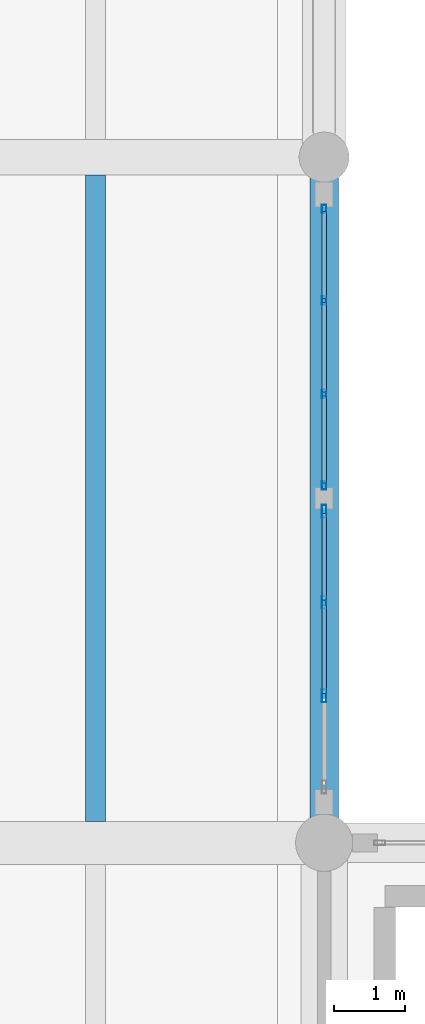
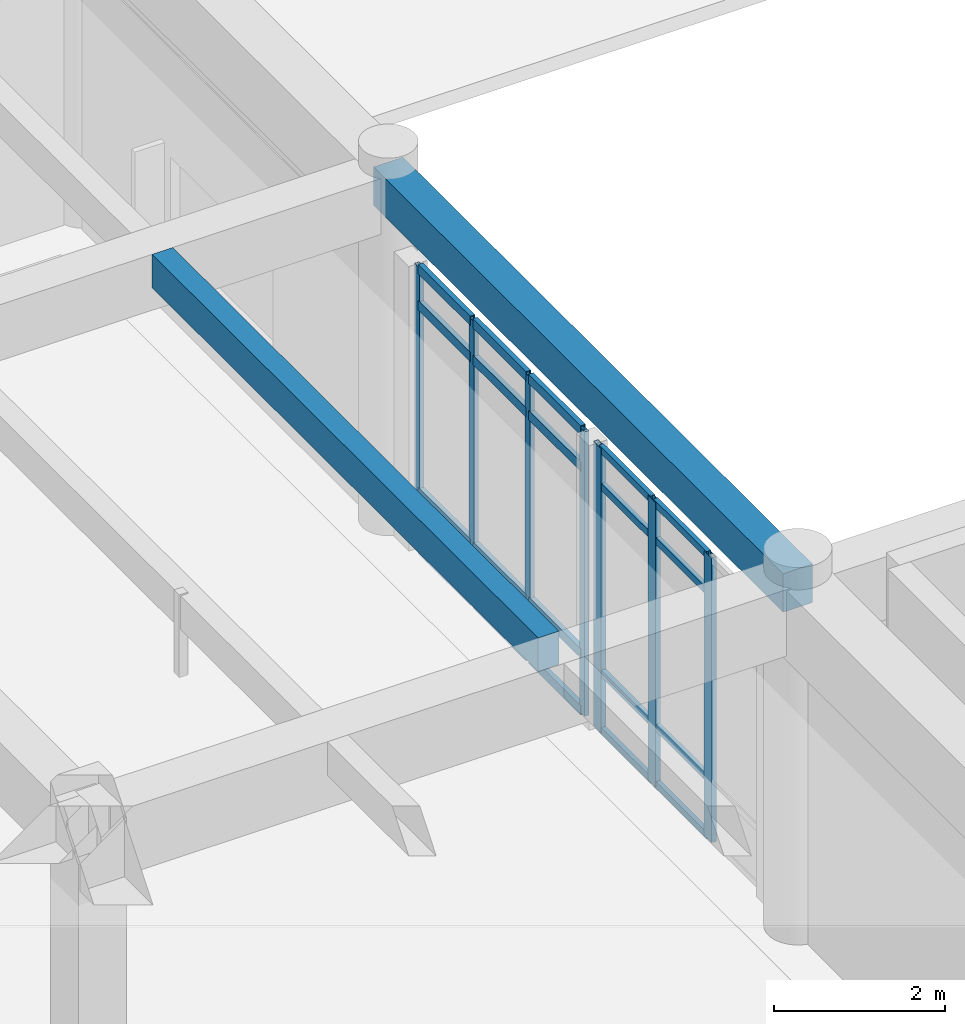
# One storey, part 11 of 138: 27 members, 2 beams, 2 elements without a shape of their own.
"""IFC4 building model written with IfcOpenShell, lengths in metres."""

import ifcopenshell
import ifcopenshell.guid

model = None  # the IFC model being written
_history = None  # IfcOwnerHistory: only IFC2X3 demands one
_inside = {}  # id of a spatial element -> (the spatial element, [elements in it])
_under = {}  # id of a project, library or spatial element -> (it, [spatial elements below it])
_declared = {}  # id of a project -> (the project, [libraries it declares])
_typed = {}  # id of a type object -> (the type object, [elements of that type])
_made_of = {}  # id of a material, layer set ... -> (it, [elements and type objects made of it])


def new_model(schema):
    """Start an empty IFC model of exactly this schema.

    Asked for "IFC4X3", IfcOpenShell would pick the latest addendum, in which some entities
    have other attributes; the version numbers below select the first issue.
    IFC2X3 requires an IfcOwnerHistory on every rooted entity: one is made here for all.
    """
    global model, _history
    if schema == "IFC4X3":
        model = ifcopenshell.file(schema_version=(4, 3, 0, 0))
    else:
        model = ifcopenshell.file(schema=schema)
    _inside.clear()
    _under.clear()
    _declared.clear()
    _typed.clear()
    _made_of.clear()
    _history = None
    if model.schema == "IFC2X3":
        org = make("IfcOrganization", Name="unknown")
        user = make(
            "IfcPersonAndOrganization",
            ThePerson=make("IfcPerson", FamilyName="unknown"),
            TheOrganization=org,
        )
        app = make(
            "IfcApplication",
            ApplicationDeveloper=org,
            Version="unknown",
            ApplicationFullName="unknown",
            ApplicationIdentifier="unknown",
        )
        _history = make(
            "IfcOwnerHistory",
            OwningUser=user,
            OwningApplication=app,
            ChangeAction="ADDED",
            CreationDate=0,
        )
    return model


def make(cls, **values):
    """One entity of the class cls with the attributes given. An attribute that is None is left unset."""
    return model.create_entity(
        cls, **{name: value for name, value in values.items() if value is not None}
    )


def rooted(cls, **values):
    """An entity with a GlobalId (a new one), such as an element, a storey or a relation."""
    return make(cls, GlobalId=ifcopenshell.guid.new(), OwnerHistory=_history, **values)


def si_unit(unit_type, name, prefix=None):
    """IfcSIUnit, for example si_unit("LENGTHUNIT", "METRE", prefix="MILLI")."""
    return make("IfcSIUnit", UnitType=unit_type, Prefix=prefix, Name=name)


def assignment(units):
    """IfcUnitAssignment: the units of a project."""
    return None if units is None else make("IfcUnitAssignment", Units=units)


def point(xyz):
    """IfcCartesianPoint."""
    return None if xyz is None else make("IfcCartesianPoint", Coordinates=xyz)


def direction(xyz):
    """IfcDirection."""
    return None if xyz is None else make("IfcDirection", DirectionRatios=xyz)


def frame(location, z_axis=None, x_axis=None):
    """IfcAxis2Placement3D, a coordinate frame: its origin and axes. An axis left out is left unset."""
    return make(
        "IfcAxis2Placement3D",
        Location=point(location),
        Axis=direction(z_axis),
        RefDirection=direction(x_axis),
    )


def frame_2d(location, x_axis=None):
    """IfcAxis2Placement2D, a coordinate frame in the plane: its origin and x axis."""
    return make(
        "IfcAxis2Placement2D", Location=point(location), RefDirection=direction(x_axis)
    )


def origin():
    """The frame at (0, 0, 0) with its axes left unset."""
    return frame((0.0, 0.0, 0.0))


def origin_2d():
    """The frame at (0, 0) in the plane with its x axis left unset."""
    return frame_2d((0.0, 0.0))


def place(relative_to, where):
    """IfcLocalPlacement: puts the frame where relative to a parent placement (None: the world)."""
    return make(
        "IfcLocalPlacement", PlacementRelTo=relative_to, RelativePlacement=where
    )


def context(
    kind, dimensions, precision=None, world=None, true_north=None, identifier=None
):
    """IfcGeometricRepresentationContext, for example the 3D "Model" context."""
    return make(
        "IfcGeometricRepresentationContext",
        ContextIdentifier=identifier,
        ContextType=kind,
        CoordinateSpaceDimension=dimensions,
        Precision=precision,
        WorldCoordinateSystem=world,
        TrueNorth=true_north,
    )


def subcontext(parent, identifier, kind, view, scale=None):
    """IfcGeometricRepresentationSubContext, for example "Body" below "Model"."""
    return make(
        "IfcGeometricRepresentationSubContext",
        ContextIdentifier=identifier,
        ContextType=kind,
        ParentContext=parent,
        TargetScale=scale,
        TargetView=view,
    )


def project(units=None, contexts=None):
    """IfcProject with its units and contexts."""
    return rooted(
        "IfcProject",
        Name="project",
        RepresentationContexts=contexts,
        UnitsInContext=assignment(units),
    )


def spatial(cls, under=None, at=None, **own):
    """A site, building, storey or space (cls), placed at a placement, below another one or the project."""
    s = rooted(cls, ObjectPlacement=at, **own)
    if under is not None:
        _under.setdefault(under.id(), (under, []))[1].append(s)
    return s


def profile(cls, at=None, kind="AREA", **sizes):
    """A parametric profile (cls). Its sizes go by their IFC names, for example OverallWidth=200.0."""
    return make(cls, ProfileType=kind, Position=at, **sizes)


def rectangle(**sizes):
    """IfcRectangleProfileDef."""
    return profile("IfcRectangleProfileDef", **sizes)


def hollow_rectangle(**sizes):
    """IfcRectangleHollowProfileDef."""
    return profile("IfcRectangleHollowProfileDef", **sizes)


def extrude(swept, where, along, depth):
    """IfcExtrudedAreaSolid: the profile swept, set in the frame where, extruded along a direction by depth."""
    return make(
        "IfcExtrudedAreaSolid",
        SweptArea=swept,
        Position=where,
        ExtrudedDirection=direction(along),
        Depth=depth,
    )


def shape(context_of_items, identifier, shape_type, items):
    """IfcShapeRepresentation: the items that make up one representation, for example the "Body"."""
    return make(
        "IfcShapeRepresentation",
        ContextOfItems=context_of_items,
        RepresentationIdentifier=identifier,
        RepresentationType=shape_type,
        Items=items,
    )


def material(Name=None, Category=None):
    """IfcMaterial."""
    return make("IfcMaterial", Name=Name, Category=Category)


def layer(
    of_material, thickness, ventilated=None, Name=None, Category=None, Priority=None
):
    """IfcMaterialLayer: one layer of a wall or slab, of a material (None: an air gap)."""
    return make(
        "IfcMaterialLayer",
        Material=of_material,
        LayerThickness=thickness,
        IsVentilated=ventilated,
        Name=Name,
        Category=Category,
        Priority=Priority,
    )


def layer_set(layers, Name=None):
    """IfcMaterialLayerSet."""
    return make("IfcMaterialLayerSet", MaterialLayers=layers, LayerSetName=Name)


def material_profile(
    of_material, cross_section, Name=None, Category=None, Priority=None
):
    """IfcMaterialProfile: a cross section and its material."""
    return make(
        "IfcMaterialProfile",
        Name=Name,
        Material=of_material,
        Profile=cross_section,
        Priority=Priority,
        Category=Category,
    )


def profile_set(profiles, Name=None, composite=None):
    """IfcMaterialProfileSet."""
    return make(
        "IfcMaterialProfileSet",
        Name=Name,
        MaterialProfiles=profiles,
        CompositeProfile=composite,
    )


def made_of(thing, what):
    """Note that an element or type object is made of a material, layer set ...; save() writes the relation."""
    if what is not None:
        _made_of.setdefault(what.id(), (what, []))[1].append(thing)
    return thing


def type_object(cls, material=None, **own):
    """A type object (cls), such as IfcWallType, which elements share."""
    return made_of(rooted(cls, **own), material)


def element(
    cls,
    number,
    at=None,
    inside=None,
    cuts=None,
    type_object=None,
    material=None,
    context=None,
    identifier="Body",
    shape_type=None,
    held_by="IfcProductDefinitionShape",
    body=None,
    shapes=None,
    **own,
):
    """One element of the class cls, such as IfcWall. Its Tag is "e" and its number.

    at: its placement. inside: the storey or other place that contains it. cuts: it is an
    opening in that element (IfcRelVoidsElement). A single representation is given by context,
    identifier, shape_type and body (its items); several are given by shapes. held_by: the class
    of the entity that holds the representations. save() writes the other relations.
    """
    e = rooted(cls, Tag="e%d" % number, ObjectPlacement=at, **own)
    if body is not None:
        shapes = [shape(context, identifier, shape_type, body)]
    if shapes is not None:
        e.Representation = make(held_by, Representations=shapes)
    if inside is not None:
        _inside.setdefault(inside.id(), (inside, []))[1].append(e)
    if cuts is not None:
        rooted(
            "IfcRelVoidsElement", RelatingBuildingElement=cuts, RelatedOpeningElement=e
        )
    if type_object is not None:
        _typed.setdefault(type_object.id(), (type_object, []))[1].append(e)
    return made_of(e, material)


def aggregate(whole, parts):
    """IfcRelAggregates: a whole, such as a stair, and the parts it consists of."""
    return rooted("IfcRelAggregates", RelatingObject=whole, RelatedObjects=parts)


def save(model, path):
    """Write the relations noted so far, then the file.

    IfcRelAggregates (storeys below a building ...), IfcRelContainedInSpatialStructure (elements
    in a storey), IfcRelDefinesByType, IfcRelAssociatesMaterial and IfcRelDeclares: one each for
    every whole, place, type object, material and project.
    """
    for whole, parts in _under.values():
        aggregate(whole, parts)
    for where, things in _inside.values():
        rooted(
            "IfcRelContainedInSpatialStructure",
            RelatedElements=things,
            RelatingStructure=where,
        )
    for kind, things in _typed.values():
        rooted("IfcRelDefinesByType", RelatedObjects=things, RelatingType=kind)
    for what, things in _made_of.values():
        rooted("IfcRelAssociatesMaterial", RelatedObjects=things, RelatingMaterial=what)
    for by, libraries in _declared.values():
        rooted("IfcRelDeclares", RelatingContext=by, RelatedDefinitions=libraries)
    model.write(path)


model = new_model("IFC4")

# Units and contexts
model_context = context("Model", 3, precision=1e-05, world=origin(), true_north=direction((0.0, 1.0)))
body_context = subcontext(model_context, "Body", "Model", "MODEL_VIEW")
ifc_project = project(units=[si_unit("LENGTHUNIT", "METRE"), si_unit("AREAUNIT", "SQUARE_METRE"), si_unit("VOLUMEUNIT", "CUBIC_METRE"), si_unit("PLANEANGLEUNIT", "RADIAN"), si_unit("MASSUNIT", "GRAM", prefix="KILO")], contexts=[model_context])

# Site, building, storey
site_placement = place(None, origin())
site = spatial("IfcSite", under=ifc_project, at=site_placement, CompositionType="ELEMENT")
building_placement = place(site_placement, origin())
building = spatial("IfcBuilding", under=site, at=building_placement, Name="Fikremerkos Civic Library", CompositionType="ELEMENT")
storey_placement = place(building_placement, origin())
storey = spatial("IfcBuildingStorey", under=building, at=storey_placement, Name="L00", CompositionType="ELEMENT", Elevation=0.0)

# Curtain wall, members
ifc_material_1 = material(Name="Anodized aluminium Frame", Category="aluminium")
ifc_layer_1 = layer(ifc_material_1, 0.159912109375, Name="Anodized aluminium Frame")
ifc_layer_set_1 = layer_set([ifc_layer_1], Name="Anodized aluminium Frame")
curtain_wall_type_1 = type_object("IfcCurtainWallType", Name="Unitised curtain wall CW-05 3800x4100", PredefinedType="USERDEFINED", material=ifc_layer_set_1)
curtain_wall_1_placement = place(storey_placement, origin())
curtain_wall_1 = element("IfcCurtainWall", 1, at=curtain_wall_1_placement, inside=storey, type_object=curtain_wall_type_1, Name="Unitised curtain wall CW-05 L00 #5", ObjectType="UNITISED CURTAIN WALL", PredefinedType="USERDEFINED")
ifc_material_profile_1 = material_profile(ifc_material_1, hollow_rectangle(XDim=0.06494140625, YDim=0.179931640625, WallThickness=0.00439453125, at=origin_2d()), Name="ALU 180x65x4.5")
ifc_profile_set_1 = profile_set([ifc_material_profile_1], Name="Anodized aluminium Frame")
member_type_1 = type_object("IfcMemberType", Name="Curtain mullion CWM-01 ALU 180x65x4.5", PredefinedType="MULLION", material=ifc_profile_set_1)
member_1_placement = place(storey_placement, frame((19.199951171875, 35.842529296875, 0.0), z_axis=(0.0, 0.0, 1.0), x_axis=(1.0, 0.0, 0.0)))
member_1 = element("IfcMember", 2, at=member_1_placement, type_object=member_type_1, Name="CW-05 mullion 1", PredefinedType="MULLION", context=body_context, shape_type="SweptSolid", body=[
    extrude(hollow_rectangle(XDim=0.06494140625, YDim=0.179931640625, WallThickness=0.00439453125, at=origin_2d()), origin(), (0.0, 0.0, 1.0), 4.070068359375),
])
member_2_placement = place(storey_placement, frame((19.199951171875, 34.56591796875, 0.0), z_axis=(0.0, 0.0, 1.0), x_axis=(1.0, 0.0, 0.0)))
member_2 = element("IfcMember", 3, at=member_2_placement, type_object=member_type_1, Name="CW-05 mullion 2", PredefinedType="MULLION", context=body_context, shape_type="SweptSolid", body=[
    extrude(hollow_rectangle(XDim=0.06494140625, YDim=0.179931640625, WallThickness=0.00439453125, at=origin_2d()), origin(), (0.0, 0.0, 1.0), 4.070068359375),
])
member_3_placement = place(storey_placement, frame((19.199951171875, 33.257080078125, 0.0), z_axis=(0.0, 0.0, 1.0), x_axis=(1.0, 0.0, 0.0)))
member_3 = element("IfcMember", 4, at=member_3_placement, type_object=member_type_1, Name="CW-05 mullion 3", PredefinedType="MULLION", context=body_context, shape_type="SweptSolid", body=[
    extrude(hollow_rectangle(XDim=0.06494140625, YDim=0.179931640625, WallThickness=0.00439453125, at=origin_2d()), origin(), (0.0, 0.0, 1.0), 4.070068359375),
])

ifc_layer_2 = layer(ifc_material_1, 0.159912109375, Name="Anodized aluminium Frame")
ifc_layer_set_2 = layer_set([ifc_layer_2], Name="Anodized aluminium Frame")
curtain_wall_type_2 = type_object("IfcCurtainWallType", Name="Unitised curtain wall CW-04 3400x3600", PredefinedType="USERDEFINED", material=ifc_layer_set_2)
curtain_wall_2_placement = place(storey_placement, origin())
curtain_wall_2 = element("IfcCurtainWall", 5, at=curtain_wall_2_placement, inside=storey, type_object=curtain_wall_type_2, Name="Unitised curtain wall CW-04 L00 #4", ObjectType="UNITISED CURTAIN WALL", PredefinedType="USERDEFINED")
ifc_material_profile_2 = material_profile(ifc_material_1, hollow_rectangle(XDim=0.06005859375, YDim=0.1201171875, WallThickness=0.00390625, at=origin_2d()), Name="ALU 120x60x4")
ifc_profile_set_2 = profile_set([ifc_material_profile_2], Name="Anodized aluminium Frame")
member_type_2 = type_object("IfcMemberType", Name="Curtain mullion CWM-04 ALU 120x60x4", PredefinedType="MULLION", material=ifc_profile_set_2)
member_4_placement = place(storey_placement, frame((19.199951171875, 40.072021484375, 0.0), z_axis=(0.0, 0.0, 1.0), x_axis=(1.0, 0.0, 0.0)))
member_4 = element("IfcMember", 6, at=member_4_placement, type_object=member_type_2, Name="CW-04 mullion 1", PredefinedType="MULLION", context=body_context, shape_type="SweptSolid", body=[
    extrude(hollow_rectangle(XDim=0.06005859375, YDim=0.1201171875, WallThickness=0.00390625, at=origin_2d()), origin(), (0.0, 0.0, 1.0), 4.070068359375),
])
member_5_placement = place(storey_placement, frame((19.199951171875, 38.79296875, 0.0), z_axis=(0.0, 0.0, 1.0), x_axis=(1.0, 0.0, 0.0)))
member_5 = element("IfcMember", 7, at=member_5_placement, type_object=member_type_2, Name="CW-04 mullion 2", PredefinedType="MULLION", context=body_context, shape_type="SweptSolid", body=[
    extrude(hollow_rectangle(XDim=0.06005859375, YDim=0.1201171875, WallThickness=0.00390625, at=origin_2d()), origin(), (0.0, 0.0, 1.0), 4.070068359375),
])
member_6_placement = place(storey_placement, frame((19.199951171875, 37.48388671875, 0.0), z_axis=(0.0, 0.0, 1.0), x_axis=(1.0, 0.0, 0.0)))
member_6 = element("IfcMember", 8, at=member_6_placement, type_object=member_type_2, Name="CW-04 mullion 3", PredefinedType="MULLION", context=body_context, shape_type="SweptSolid", body=[
    extrude(hollow_rectangle(XDim=0.06005859375, YDim=0.1201171875, WallThickness=0.00390625, at=origin_2d()), origin(), (0.0, 0.0, 1.0), 4.070068359375),
])
member_7_placement = place(storey_placement, frame((19.199951171875, 36.205078125, 0.0), z_axis=(0.0, 0.0, 1.0), x_axis=(1.0, 0.0, 0.0)))
member_7 = element("IfcMember", 9, at=member_7_placement, type_object=member_type_2, Name="CW-04 mullion 4", PredefinedType="MULLION", context=body_context, shape_type="SweptSolid", body=[
    extrude(hollow_rectangle(XDim=0.06005859375, YDim=0.1201171875, WallThickness=0.00390625, at=origin_2d()), origin(), (0.0, 0.0, 1.0), 4.070068359375),
])
ifc_material_profile_3 = material_profile(ifc_material_1, hollow_rectangle(XDim=0.06494140625, YDim=0.135009765625, WallThickness=0.00439453125, at=origin_2d()), Name="ALU 135x65x4.5")
ifc_profile_set_3 = profile_set([ifc_material_profile_3], Name="Anodized aluminium Frame")
member_type_3 = type_object("IfcMemberType", Name="Curtain transom CWT-02 ALU 135x65x4.5", PredefinedType="USERDEFINED", material=ifc_profile_set_3)
member_8_placement = place(storey_placement, frame((19.199951171875, 40.0419921875, 0.032470703125), z_axis=(0.0, -1.0, 0.0), x_axis=(1.0, 0.0, 0.0)))
member_8 = element("IfcMember", 10, at=member_8_placement, type_object=member_type_3, Name="CW-04 transom 1.1", ObjectType="TRANSOM", PredefinedType="USERDEFINED", context=body_context, shape_type="SweptSolid", body=[
    extrude(hollow_rectangle(XDim=0.06494140625, YDim=0.135009765625, WallThickness=0.00439453125, at=origin_2d()), origin(), (0.0, 0.0, 1.0), 1.218994140625),
])
member_9_placement = place(storey_placement, frame((19.199951171875, 40.0419921875, 0.85009765625), z_axis=(0.0, -1.0, 0.0), x_axis=(1.0, 0.0, 0.0)))
member_9 = element("IfcMember", 11, at=member_9_placement, type_object=member_type_3, Name="CW-04 transom 1.2", ObjectType="TRANSOM", PredefinedType="USERDEFINED", context=body_context, shape_type="SweptSolid", body=[
    extrude(hollow_rectangle(XDim=0.06494140625, YDim=0.135009765625, WallThickness=0.00439453125, at=origin_2d()), origin(), (0.0, 0.0, 1.0), 1.218994140625),
])
member_10_placement = place(storey_placement, frame((19.199951171875, 40.0419921875, 3.52001953125), z_axis=(0.0, -1.0, 0.0), x_axis=(1.0, 0.0, 0.0)))
member_10 = element("IfcMember", 12, at=member_10_placement, type_object=member_type_3, Name="CW-04 transom 1.3", ObjectType="TRANSOM", PredefinedType="USERDEFINED", context=body_context, shape_type="SweptSolid", body=[
    extrude(hollow_rectangle(XDim=0.06494140625, YDim=0.135009765625, WallThickness=0.00439453125, at=origin_2d()), origin(), (0.0, 0.0, 1.0), 1.218994140625),
])
member_11_placement = place(storey_placement, frame((19.199951171875, 40.0419921875, 4.03759765625), z_axis=(0.0, -1.0, 0.0), x_axis=(1.0, 0.0, 0.0)))
member_11 = element("IfcMember", 13, at=member_11_placement, type_object=member_type_3, Name="CW-04 transom 1.4", ObjectType="TRANSOM", PredefinedType="USERDEFINED", context=body_context, shape_type="SweptSolid", body=[
    extrude(hollow_rectangle(XDim=0.06494140625, YDim=0.135009765625, WallThickness=0.00439453125, at=origin_2d()), origin(), (0.0, 0.0, 1.0), 1.218994140625),
])
member_12_placement = place(storey_placement, frame((19.199951171875, 38.762939453125, 0.032470703125), z_axis=(0.0, -1.0, 0.0), x_axis=(1.0, 0.0, 0.0)))
member_12 = element("IfcMember", 14, at=member_12_placement, type_object=member_type_3, Name="CW-04 transom 2.1", ObjectType="TRANSOM", PredefinedType="USERDEFINED", context=body_context, shape_type="SweptSolid", body=[
    extrude(hollow_rectangle(XDim=0.06494140625, YDim=0.135009765625, WallThickness=0.00439453125, at=origin_2d()), origin(), (0.0, 0.0, 1.0), 1.2490234375),
])
member_13_placement = place(storey_placement, frame((19.199951171875, 38.762939453125, 0.85009765625), z_axis=(0.0, -1.0, 0.0), x_axis=(1.0, 0.0, 0.0)))
member_13 = element("IfcMember", 15, at=member_13_placement, type_object=member_type_3, Name="CW-04 transom 2.2", ObjectType="TRANSOM", PredefinedType="USERDEFINED", context=body_context, shape_type="SweptSolid", body=[
    extrude(hollow_rectangle(XDim=0.06494140625, YDim=0.135009765625, WallThickness=0.00439453125, at=origin_2d()), origin(), (0.0, 0.0, 1.0), 1.2490234375),
])
member_14_placement = place(storey_placement, frame((19.199951171875, 38.762939453125, 3.52001953125), z_axis=(0.0, -1.0, 0.0), x_axis=(1.0, 0.0, 0.0)))
member_14 = element("IfcMember", 16, at=member_14_placement, type_object=member_type_3, Name="CW-04 transom 2.3", ObjectType="TRANSOM", PredefinedType="USERDEFINED", context=body_context, shape_type="SweptSolid", body=[
    extrude(hollow_rectangle(XDim=0.06494140625, YDim=0.135009765625, WallThickness=0.00439453125, at=origin_2d()), origin(), (0.0, 0.0, 1.0), 1.2490234375),
])
member_15_placement = place(storey_placement, frame((19.199951171875, 38.762939453125, 4.03759765625), z_axis=(0.0, -1.0, 0.0), x_axis=(1.0, 0.0, 0.0)))
member_15 = element("IfcMember", 17, at=member_15_placement, type_object=member_type_3, Name="CW-04 transom 2.4", ObjectType="TRANSOM", PredefinedType="USERDEFINED", context=body_context, shape_type="SweptSolid", body=[
    extrude(hollow_rectangle(XDim=0.06494140625, YDim=0.135009765625, WallThickness=0.00439453125, at=origin_2d()), origin(), (0.0, 0.0, 1.0), 1.2490234375),
])
member_16_placement = place(storey_placement, frame((19.199951171875, 37.4541015625, 0.032470703125), z_axis=(0.0, -1.0, 0.0), x_axis=(1.0, 0.0, 0.0)))
member_16 = element("IfcMember", 18, at=member_16_placement, type_object=member_type_3, Name="CW-04 transom 3.1", ObjectType="TRANSOM", PredefinedType="USERDEFINED", context=body_context, shape_type="SweptSolid", body=[
    extrude(hollow_rectangle(XDim=0.06494140625, YDim=0.135009765625, WallThickness=0.00439453125, at=origin_2d()), origin(), (0.0, 0.0, 1.0), 1.218994140625),
])
member_17_placement = place(storey_placement, frame((19.199951171875, 37.4541015625, 0.85009765625), z_axis=(0.0, -1.0, 0.0), x_axis=(1.0, 0.0, 0.0)))
member_17 = element("IfcMember", 19, at=member_17_placement, type_object=member_type_3, Name="CW-04 transom 3.2", ObjectType="TRANSOM", PredefinedType="USERDEFINED", context=body_context, shape_type="SweptSolid", body=[
    extrude(hollow_rectangle(XDim=0.06494140625, YDim=0.135009765625, WallThickness=0.00439453125, at=origin_2d()), origin(), (0.0, 0.0, 1.0), 1.218994140625),
])
member_18_placement = place(storey_placement, frame((19.199951171875, 37.4541015625, 3.52001953125), z_axis=(0.0, -1.0, 0.0), x_axis=(1.0, 0.0, 0.0)))
member_18 = element("IfcMember", 20, at=member_18_placement, type_object=member_type_3, Name="CW-04 transom 3.3", ObjectType="TRANSOM", PredefinedType="USERDEFINED", context=body_context, shape_type="SweptSolid", body=[
    extrude(hollow_rectangle(XDim=0.06494140625, YDim=0.135009765625, WallThickness=0.00439453125, at=origin_2d()), origin(), (0.0, 0.0, 1.0), 1.218994140625),
])
member_19_placement = place(storey_placement, frame((19.199951171875, 37.4541015625, 4.03759765625), z_axis=(0.0, -1.0, 0.0), x_axis=(1.0, 0.0, 0.0)))
member_19 = element("IfcMember", 21, at=member_19_placement, type_object=member_type_3, Name="CW-04 transom 3.4", ObjectType="TRANSOM", PredefinedType="USERDEFINED", context=body_context, shape_type="SweptSolid", body=[
    extrude(hollow_rectangle(XDim=0.06494140625, YDim=0.135009765625, WallThickness=0.00439453125, at=origin_2d()), origin(), (0.0, 0.0, 1.0), 1.218994140625),
])
aggregate(curtain_wall_2, [member_4, member_5, member_6, member_7, member_8, member_9, member_10, member_11, member_12, member_13, member_14, member_15, member_16, member_17, member_18, member_19])

# Member
ifc_material_profile_4 = material_profile(ifc_material_1, hollow_rectangle(XDim=0.06005859375, YDim=0.10009765625, WallThickness=0.00390625, at=origin_2d()), Name="ALU 100x60x4")
ifc_profile_set_4 = profile_set([ifc_material_profile_4], Name="Anodized aluminium Frame")
member_type_4 = type_object("IfcMemberType", Name="Curtain transom CWT-03 ALU 100x60x4", PredefinedType="USERDEFINED", material=ifc_profile_set_4)
member_20_placement = place(storey_placement, frame((19.199951171875, 35.81005859375, 0.030029296875), z_axis=(0.0, -1.0, 0.0), x_axis=(1.0, 0.0, 0.0)))
member_20 = element("IfcMember", 22, at=member_20_placement, type_object=member_type_4, Name="CW-05 transom 1.1", ObjectType="TRANSOM", PredefinedType="USERDEFINED", context=body_context, shape_type="SweptSolid", body=[
    extrude(hollow_rectangle(XDim=0.06005859375, YDim=0.10009765625, WallThickness=0.00390625, at=origin_2d()), origin(), (0.0, 0.0, 1.0), 1.211669921875),
])

member_21_placement = place(storey_placement, frame((19.199951171875, 35.81005859375, 0.85009765625), z_axis=(0.0, -1.0, 0.0), x_axis=(1.0, 0.0, 0.0)))
member_21 = element("IfcMember", 23, at=member_21_placement, type_object=member_type_4, Name="CW-05 transom 1.2", ObjectType="TRANSOM", PredefinedType="USERDEFINED", context=body_context, shape_type="SweptSolid", body=[
    extrude(hollow_rectangle(XDim=0.06005859375, YDim=0.10009765625, WallThickness=0.00390625, at=origin_2d()), origin(), (0.0, 0.0, 1.0), 1.211669921875),
])

member_22_placement = place(storey_placement, frame((19.199951171875, 35.81005859375, 3.52001953125), z_axis=(0.0, -1.0, 0.0), x_axis=(1.0, 0.0, 0.0)))
member_22 = element("IfcMember", 24, at=member_22_placement, type_object=member_type_4, Name="CW-05 transom 1.3", ObjectType="TRANSOM", PredefinedType="USERDEFINED", context=body_context, shape_type="SweptSolid", body=[
    extrude(hollow_rectangle(XDim=0.06005859375, YDim=0.10009765625, WallThickness=0.00390625, at=origin_2d()), origin(), (0.0, 0.0, 1.0), 1.211669921875),
])

member_23_placement = place(storey_placement, frame((19.199951171875, 35.81005859375, 4.0400390625), z_axis=(0.0, -1.0, 0.0), x_axis=(1.0, 0.0, 0.0)))
member_23 = element("IfcMember", 25, at=member_23_placement, type_object=member_type_4, Name="CW-05 transom 1.4", ObjectType="TRANSOM", PredefinedType="USERDEFINED", context=body_context, shape_type="SweptSolid", body=[
    extrude(hollow_rectangle(XDim=0.06005859375, YDim=0.10009765625, WallThickness=0.00390625, at=origin_2d()), origin(), (0.0, 0.0, 1.0), 1.211669921875),
])

member_24_placement = place(storey_placement, frame((19.199951171875, 34.533447265625, 0.030029296875), z_axis=(0.0, -1.0, 0.0), x_axis=(1.0, 0.0, 0.0)))
member_24 = element("IfcMember", 26, at=member_24_placement, type_object=member_type_4, Name="CW-05 transom 2.1", ObjectType="TRANSOM", PredefinedType="USERDEFINED", context=body_context, shape_type="SweptSolid", body=[
    extrude(hollow_rectangle(XDim=0.06005859375, YDim=0.10009765625, WallThickness=0.00390625, at=origin_2d()), origin(), (0.0, 0.0, 1.0), 1.243896484375),
])

member_25_placement = place(storey_placement, frame((19.199951171875, 34.533447265625, 0.85009765625), z_axis=(0.0, -1.0, 0.0), x_axis=(1.0, 0.0, 0.0)))
member_25 = element("IfcMember", 27, at=member_25_placement, type_object=member_type_4, Name="CW-05 transom 2.2", ObjectType="TRANSOM", PredefinedType="USERDEFINED", context=body_context, shape_type="SweptSolid", body=[
    extrude(hollow_rectangle(XDim=0.06005859375, YDim=0.10009765625, WallThickness=0.00390625, at=origin_2d()), origin(), (0.0, 0.0, 1.0), 1.243896484375),
])

member_26_placement = place(storey_placement, frame((19.199951171875, 34.533447265625, 3.52001953125), z_axis=(0.0, -1.0, 0.0), x_axis=(1.0, 0.0, 0.0)))
member_26 = element("IfcMember", 28, at=member_26_placement, type_object=member_type_4, Name="CW-05 transom 2.3", ObjectType="TRANSOM", PredefinedType="USERDEFINED", context=body_context, shape_type="SweptSolid", body=[
    extrude(hollow_rectangle(XDim=0.06005859375, YDim=0.10009765625, WallThickness=0.00390625, at=origin_2d()), origin(), (0.0, 0.0, 1.0), 1.243896484375),
])

member_27_placement = place(storey_placement, frame((19.199951171875, 34.533447265625, 4.0400390625), z_axis=(0.0, -1.0, 0.0), x_axis=(1.0, 0.0, 0.0)))
member_27 = element("IfcMember", 29, at=member_27_placement, type_object=member_type_4, Name="CW-05 transom 2.4", ObjectType="TRANSOM", PredefinedType="USERDEFINED", context=body_context, shape_type="SweptSolid", body=[
    extrude(hollow_rectangle(XDim=0.06005859375, YDim=0.10009765625, WallThickness=0.00390625, at=origin_2d()), origin(), (0.0, 0.0, 1.0), 1.243896484375),
])

aggregate(curtain_wall_1, [member_1, member_2, member_3, member_20, member_21, member_22, member_23, member_24, member_25, member_26, member_27])

# Beams
ifc_material_2 = material(Name="Concrete C40/50", Category="concrete")
ifc_material_profile_5 = material_profile(ifc_material_2, rectangle(XDim=0.280029296875, YDim=0.47998046875, at=origin_2d()), Name="RC 280x480")
ifc_profile_set_5 = profile_set([ifc_material_profile_5], Name="Concrete C40/50")
beam_type_1 = type_object("IfcBeamType", Name="Floor joist JS-04 RC 280x480", PredefinedType="JOIST", material=ifc_profile_set_5)
beam_1_placement = place(storey_placement, frame((16.0, 31.5, 4.860107421875), z_axis=(0.0, 1.0, 0.0), x_axis=(-1.0, 0.0, 0.0)))
element("IfcBeam", 30, at=beam_1_placement, inside=storey, type_object=beam_type_1, Name="Floor joist JS-04 L00 #297", PredefinedType="JOIST", context=body_context, shape_type="SweptSolid", body=[
    extrude(rectangle(XDim=0.280029296875, YDim=0.47998046875, at=origin_2d()), origin(), (0.0, 0.0, 1.0), 9.050048828125),
])
ifc_material_profile_6 = material_profile(ifc_material_2, rectangle(XDim=0.39990234375, YDim=0.550048828125, at=origin_2d()), Name="RC 400x550")
ifc_profile_set_6 = profile_set([ifc_material_profile_6], Name="Concrete C40/50")
beam_type_2 = type_object("IfcBeamType", Name="Primary girder BM-26 RC 400x550", PredefinedType="BEAM", material=ifc_profile_set_6)
beam_2_placement = place(storey_placement, frame((19.199951171875, 31.199951171875, 4.824951171875), z_axis=(0.0, 1.0, 0.0), x_axis=(-1.0, 0.0, 0.0)))
element("IfcBeam", 31, at=beam_2_placement, inside=storey, type_object=beam_type_2, Name="Primary girder BM-26 L00 grid 3", PredefinedType="BEAM", context=body_context, shape_type="SweptSolid", body=[
    extrude(rectangle(XDim=0.39990234375, YDim=0.550048828125, at=origin_2d()), origin(), (0.0, 0.0, 1.0), 9.60009765625),
])

save(model, "model.ifc")
